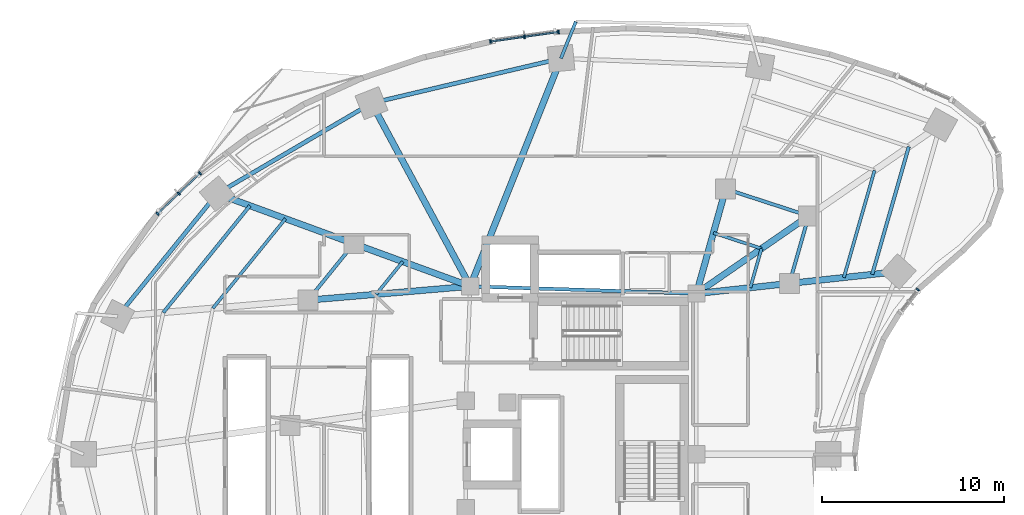
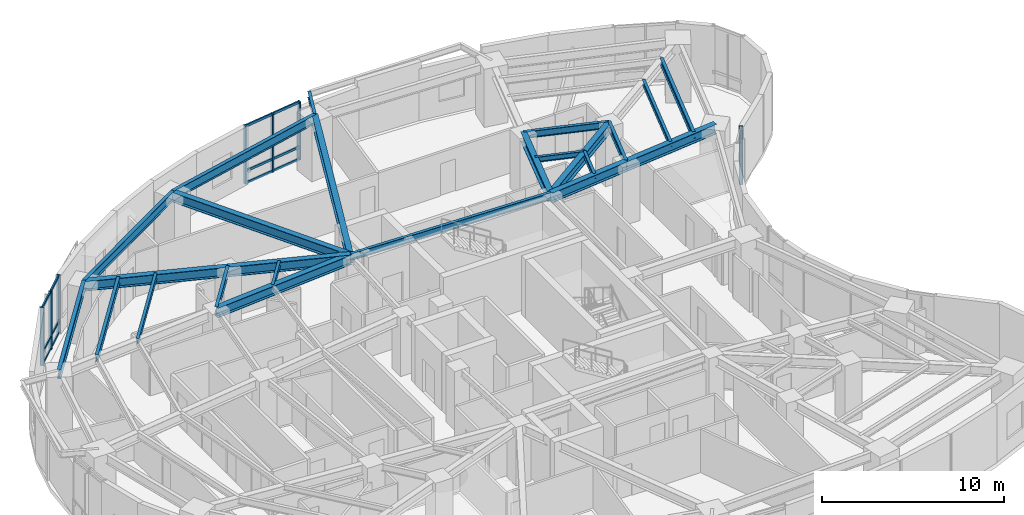
# One storey, part 5 of 16: 24 beams, 19 members, 3 elements without a shape of their own.
"""IFC4 building model written with IfcOpenShell, lengths in metres."""

from ifc_helpers import new_model, si_unit, direction, frame, origin, origin_2d, place, context, subcontext, project, spatial, rectangle, i_section, extrude, material, layer, layer_set, material_profile, profile_set, type_object, element, aggregate, save


model = new_model("IFC4")

# Units and contexts
model_context = context("Model", 3, precision=1e-05, world=origin(), true_north=direction((0.0, 1.0)))
body_context = subcontext(model_context, "Body", "Model", "MODEL_VIEW")
ifc_project = project(units=[si_unit("LENGTHUNIT", "METRE"), si_unit("AREAUNIT", "SQUARE_METRE"), si_unit("VOLUMEUNIT", "CUBIC_METRE"), si_unit("PLANEANGLEUNIT", "RADIAN"), si_unit("MASSUNIT", "GRAM", prefix="KILO")], contexts=[model_context])

# Site, building, storey
site_placement = place(None, origin())
site = spatial("IfcSite", under=ifc_project, at=site_placement, CompositionType="ELEMENT")
building_placement = place(site_placement, origin())
building = spatial("IfcBuilding", under=site, at=building_placement, Name="Korentha Bioscience Tower", CompositionType="ELEMENT")
storey_placement = place(building_placement, frame((0.0, 0.0, 55.199951171875)))
storey = spatial("IfcBuildingStorey", under=building, at=storey_placement, Name="L12", CompositionType="ELEMENT", Elevation=55.199951171875)

# Beams
ifc_material_1 = material(Name="Steel S355", Category="steel")
ifc_material_profile_1 = material_profile(ifc_material_1, i_section(OverallWidth=0.18994140625, OverallDepth=0.45703125, WebThickness=0.009033203125, FlangeThickness=0.014404296875, at=origin_2d()), Name="Steel S355")
ifc_profile_set_1 = profile_set([ifc_material_profile_1], Name="Steel S355 (MB-460)")
beam_type_1 = type_object("IfcBeamType", Name="Mid-Ring Tie Girder W460x74", PredefinedType="BEAM", material=ifc_profile_set_1)
beam_1_placement = place(storey_placement, frame((43.7265625, 40.121337890625, 3.671630859375), z_axis=(-0.950877001105, 0.309568940253, 0.0), x_axis=(-0.309568940253, -0.950877001105, 0.0)))
element("IfcBeam", 1, at=beam_1_placement, inside=storey, type_object=beam_type_1, Name="L12 Mid-Ring Tie Girder 01", PredefinedType="BEAM", context=body_context, shape_type="SweptSolid", body=[
    extrude(i_section(OverallWidth=0.18994140625, OverallDepth=0.45703125, WebThickness=0.009033203125, FlangeThickness=0.014404296875, at=origin_2d()), origin(), (0.0, 0.0, 1.0), 4.80126953125),
])
beam_2_placement = place(storey_placement, frame((18.692138671875, 38.5947265625, 3.671630859375), z_axis=(-0.629790009744, -0.776765436684, 0.0), x_axis=(0.776765436684, -0.629790009744, 0.0)))
element("IfcBeam", 2, at=beam_2_placement, inside=storey, type_object=beam_type_1, Name="L12 Mid-Ring Tie Girder 05", PredefinedType="BEAM", context=body_context, shape_type="SweptSolid", body=[
    extrude(i_section(OverallWidth=0.18994140625, OverallDepth=0.45703125, WebThickness=0.009033203125, FlangeThickness=0.014404296875, at=origin_2d()), origin(), (0.0, 0.0, 1.0), 3.998291015625),
])
beam_3_placement = place(storey_placement, frame((42.66162109375, 36.406982421875, 3.671630859375), z_axis=(0.27560557792, 0.961270807535, 0.0), x_axis=(-0.961270807535, 0.27560557792, 0.0)))
element("IfcBeam", 3, at=beam_3_placement, inside=storey, type_object=beam_type_1, Name="L12 Mid-Ring Tie Girder 16", PredefinedType="BEAM", context=body_context, shape_type="SweptSolid", body=[
    extrude(i_section(OverallWidth=0.18994140625, OverallDepth=0.45703125, WebThickness=0.009033203125, FlangeThickness=0.014404296875, at=origin_2d()), origin(), (0.0, 0.0, 1.0), 3.864013671875),
])
beam_4_placement = place(storey_placement, frame((37.550048828125, 35.85009765625, 3.671630859375), z_axis=(-0.999484526071, 0.032104238723, 0.0), x_axis=(-0.032104238723, -0.999484526071, 0.0)))
element("IfcBeam", 4, at=beam_4_placement, inside=storey, type_object=beam_type_1, Name="L12 Core Ring Tie Girder 01", PredefinedType="BEAM", context=body_context, shape_type="SweptSolid", body=[
    extrude(i_section(OverallWidth=0.18994140625, OverallDepth=0.45703125, WebThickness=0.009033203125, FlangeThickness=0.014404296875, at=origin_2d()), origin(), (0.0, 0.0, 1.0), 12.456298828125),
])

# Curtain wall, members
ifc_material_2 = material(Name="Thermally Broken Aluminium Frame", Category="aluminium")
ifc_layer = layer(ifc_material_2, 0.219970703125, Name="Thermally Broken Aluminium Frame")
ifc_layer_set = layer_set([ifc_layer], Name="Thermally Broken Aluminium Frame (CW-T2)")
curtain_wall_type = type_object("IfcCurtainWallType", Name="Solar-Screened Lab Unitised Curtain Wall CW-T2", PredefinedType="USERDEFINED", material=ifc_layer_set)
curtain_wall_1_placement = place(storey_placement, origin())
curtain_wall_1 = element("IfcCurtainWall", 5, at=curtain_wall_1_placement, inside=storey, type_object=curtain_wall_type, Name="L12 Curtain Wall 07", ObjectType="UNITISED", PredefinedType="USERDEFINED")
ifc_material_3 = material(Name="Anodised Aluminium 6063-T6", Category="aluminium")
ifc_material_profile_2 = material_profile(ifc_material_3, rectangle(XDim=0.090087890625, YDim=0.199951171875, at=origin_2d()), Name="Anodised Aluminium 6063-T6")
ifc_profile_set_2 = profile_set([ifc_material_profile_2], Name="Anodised Aluminium 6063-T6 (CW-MUL)")
member_type_1 = type_object("IfcMemberType", Name="Mullion RECT 90x200", PredefinedType="MULLION", material=ifc_profile_set_2)
member_1_placement = place(storey_placement, frame((29.95849609375, 50.247802734375, 0.0), z_axis=(0.0, 0.0, 1.0), x_axis=(-0.990167372968, -0.139887717511, 0.0)))
member_1 = element("IfcMember", 6, at=member_1_placement, type_object=member_type_1, Name="CW-L12-07 Mullion 1", PredefinedType="MULLION", context=body_context, shape_type="SweptSolid", body=[
    extrude(rectangle(XDim=0.090087890625, YDim=0.199951171875, at=origin_2d()), origin(), (0.0, 0.0, 1.0), 3.900146484375),
])
member_2_placement = place(storey_placement, frame((28.086669921875, 49.9833984375, 0.0), z_axis=(0.0, 0.0, 1.0), x_axis=(-0.990167372968, -0.139887717511, 0.0)))
member_2 = element("IfcMember", 7, at=member_2_placement, type_object=member_type_1, Name="CW-L12-07 Mullion 2", PredefinedType="MULLION", context=body_context, shape_type="SweptSolid", body=[
    extrude(rectangle(XDim=0.090087890625, YDim=0.199951171875, at=origin_2d()), origin(), (0.0, 0.0, 1.0), 3.900146484375),
])
member_3_placement = place(storey_placement, frame((26.214599609375, 49.718994140625, 0.0), z_axis=(0.0, 0.0, 1.0), x_axis=(-0.990167372968, -0.139887717511, 0.0)))
member_3 = element("IfcMember", 8, at=member_3_placement, type_object=member_type_1, Name="CW-L12-07 Mullion 3", PredefinedType="MULLION", context=body_context, shape_type="SweptSolid", body=[
    extrude(rectangle(XDim=0.090087890625, YDim=0.199951171875, at=origin_2d()), origin(), (0.0, 0.0, 1.0), 3.900146484375),
])

curtain_wall_2_placement = place(storey_placement, origin())
curtain_wall_2 = element("IfcCurtainWall", 9, at=curtain_wall_2_placement, inside=storey, type_object=curtain_wall_type, Name="L12 Curtain Wall 13", ObjectType="UNITISED", PredefinedType="USERDEFINED")
member_4_placement = place(storey_placement, frame((10.228759765625, 42.467041015625, 0.0), z_axis=(0.0, 0.0, 1.0), x_axis=(-0.723641761581, -0.690175775361, 0.0)))
member_4 = element("IfcMember", 10, at=member_4_placement, type_object=member_type_1, Name="CW-L12-13 Mullion 1", PredefinedType="MULLION", context=body_context, shape_type="SweptSolid", body=[
    extrude(rectangle(XDim=0.090087890625, YDim=0.199951171875, at=origin_2d()), origin(), (0.0, 0.0, 1.0), 3.900146484375),
])
member_5_placement = place(storey_placement, frame((9.05908203125, 41.3515625, 0.0), z_axis=(0.0, 0.0, 1.0), x_axis=(-0.723641761581, -0.690175775361, 0.0)))
member_5 = element("IfcMember", 11, at=member_5_placement, type_object=member_type_1, Name="CW-L12-13 Mullion 2", PredefinedType="MULLION", context=body_context, shape_type="SweptSolid", body=[
    extrude(rectangle(XDim=0.090087890625, YDim=0.199951171875, at=origin_2d()), origin(), (0.0, 0.0, 1.0), 3.900146484375),
])
member_6_placement = place(storey_placement, frame((7.889404296875, 40.236083984375, 0.0), z_axis=(0.0, 0.0, 1.0), x_axis=(-0.723641761581, -0.690175775361, 0.0)))
member_6 = element("IfcMember", 12, at=member_6_placement, type_object=member_type_1, Name="CW-L12-13 Mullion 3", PredefinedType="MULLION", context=body_context, shape_type="SweptSolid", body=[
    extrude(rectangle(XDim=0.090087890625, YDim=0.199951171875, at=origin_2d()), origin(), (0.0, 0.0, 1.0), 3.900146484375),
])

# Curtain wall, member
curtain_wall_3_placement = place(storey_placement, origin())
curtain_wall_3 = element("IfcCurtainWall", 13, at=curtain_wall_3_placement, inside=storey, type_object=curtain_wall_type, Name="L12 Curtain Wall 55", ObjectType="UNITISED", PredefinedType="USERDEFINED")
member_7_placement = place(storey_placement, frame((49.73291015625, 36.072021484375, 0.0), z_axis=(0.0, 0.0, 1.0), x_axis=(0.622520324648, 0.782603632371, 0.0)))
member_7 = element("IfcMember", 14, at=member_7_placement, type_object=member_type_1, Name="CW-L12-55 Mullion 2", PredefinedType="MULLION", context=body_context, shape_type="SweptSolid", body=[
    extrude(rectangle(XDim=0.090087890625, YDim=0.199951171875, at=origin_2d()), origin(), (0.0, 0.0, 1.0), 3.900146484375),
])
aggregate(curtain_wall_3, [member_7])

# Beams
ifc_material_profile_3 = material_profile(ifc_material_1, i_section(OverallWidth=0.22802734375, OverallDepth=0.60791015625, WebThickness=0.01123046875, FlangeThickness=0.017333984375, at=origin_2d()), Name="Steel S355")
ifc_profile_set_3 = profile_set([ifc_material_profile_3], Name="Steel S355 (SB-610)")
beam_type_2 = type_object("IfcBeamType", Name="Perimeter Ring Spandrel Girder W610x113", PredefinedType="SPANDREL", material=ifc_profile_set_3)
beam_5_placement = place(storey_placement, frame((30.09423828125, 48.79248046875, 3.595947265625), z_axis=(-0.973207885376, -0.229926970672, 0.0), x_axis=(0.229926970672, -0.973207885376, 0.0)))
element("IfcBeam", 15, at=beam_5_placement, inside=storey, type_object=beam_type_2, Name="L12 Perimeter Spandrel Girder 03", PredefinedType="SPANDREL", context=body_context, shape_type="SweptSolid", body=[
    extrude(i_section(OverallWidth=0.22802734375, OverallDepth=0.60791015625, WebThickness=0.01123046875, FlangeThickness=0.017333984375, at=origin_2d()), origin(), (0.0, 0.0, 1.0), 10.71484375),
])
beam_6_placement = place(storey_placement, frame((19.66650390625, 46.328857421875, 3.595947265625), z_axis=(-0.862656574181, -0.505790109653, 0.0), x_axis=(0.505790109653, -0.862656574181, 0.0)))
element("IfcBeam", 16, at=beam_6_placement, inside=storey, type_object=beam_type_2, Name="L12 Perimeter Spandrel Girder 04", PredefinedType="SPANDREL", context=body_context, shape_type="SweptSolid", body=[
    extrude(i_section(OverallWidth=0.22802734375, OverallDepth=0.60791015625, WebThickness=0.01123046875, FlangeThickness=0.017333984375, at=origin_2d()), origin(), (0.0, 0.0, 1.0), 9.849365234375),
])
beam_7_placement = place(storey_placement, frame((11.169921875, 41.34716796875, 3.595947265625), z_axis=(-0.629799210231, -0.776757976974, 0.0), x_axis=(0.776757976974, -0.629799210231, 0.0)))
element("IfcBeam", 17, at=beam_7_placement, inside=storey, type_object=beam_type_2, Name="L12 Perimeter Spandrel Girder 05", PredefinedType="SPANDREL", context=body_context, shape_type="SweptSolid", body=[
    extrude(i_section(OverallWidth=0.22802734375, OverallDepth=0.60791015625, WebThickness=0.01123046875, FlangeThickness=0.017333984375, at=origin_2d()), origin(), (0.0, 0.0, 1.0), 8.69189453125),
])
ifc_material_profile_4 = material_profile(ifc_material_1, i_section(OverallWidth=0.18994140625, OverallDepth=0.45703125, WebThickness=0.009033203125, FlangeThickness=0.014404296875, at=origin_2d()), Name="Steel S355")
ifc_profile_set_4 = profile_set([ifc_material_profile_4], Name="Steel S355 (RB-460)")
beam_type_3 = type_object("IfcBeamType", Name="Radial Laboratory Beam W460x74", PredefinedType="BEAM", material=ifc_profile_set_4)
beam_8_placement = place(storey_placement, frame((12.97509765625, 40.6865234375, 3.671630859375), z_axis=(-0.629797748553, -0.776759162107, 0.0), x_axis=(0.776759162107, -0.629797748553, 0.0)))
element("IfcBeam", 18, at=beam_8_placement, inside=storey, type_object=beam_type_3, Name="L12 Secondary Floor Beam JSTO-05", PredefinedType="BEAM", context=body_context, shape_type="SweptSolid", body=[
    extrude(i_section(OverallWidth=0.18994140625, OverallDepth=0.45703125, WebThickness=0.009033203125, FlangeThickness=0.014404296875, at=origin_2d()), origin(), (0.0, 0.0, 1.0), 7.5654296875),
])
beam_9_placement = place(storey_placement, frame((47.2216796875, 36.90380859375, 3.671630859375), z_axis=(0.275682421415, 0.961248772443, 0.0), x_axis=(-0.961248772443, 0.275682421415, 0.0)))
element("IfcBeam", 19, at=beam_9_placement, inside=storey, type_object=beam_type_3, Name="L12 Secondary Floor Beam JSTO-16", PredefinedType="BEAM", context=body_context, shape_type="SweptSolid", body=[
    extrude(i_section(OverallWidth=0.18994140625, OverallDepth=0.45703125, WebThickness=0.009033203125, FlangeThickness=0.014404296875, at=origin_2d()), origin(), (0.0, 0.0, 1.0), 7.3115234375),
])
ifc_material_profile_5 = material_profile(ifc_material_1, i_section(OverallWidth=0.35009765625, OverallDepth=0.64990234375, WebThickness=0.01611328125, FlangeThickness=0.02490234375, at=origin_2d()), Name="Steel S355")
ifc_profile_set_5 = profile_set([ifc_material_profile_5], Name="Steel S355 (RB-650)")
beam_type_4 = type_object("IfcBeamType", Name="Radial Laboratory Girder CVS 650x208", PredefinedType="BEAM", material=ifc_profile_set_5)
beam_10_placement = place(storey_placement, frame((37.550048828125, 35.85009765625, 3.574951171875), z_axis=(0.822491697625, 0.568777115694, 0.0), x_axis=(-0.568777115694, 0.822491697625, 0.0)))
element("IfcBeam", 20, at=beam_10_placement, inside=storey, type_object=beam_type_4, Name="L12 Inner Radial Girder 01", PredefinedType="BEAM", context=body_context, shape_type="SweptSolid", body=[
    extrude(i_section(OverallWidth=0.35009765625, OverallDepth=0.64990234375, WebThickness=0.01611328125, FlangeThickness=0.02490234375, at=origin_2d()), origin(), (0.0, 0.0, 1.0), 7.509521484375),
])
beam_11_placement = place(storey_placement, frame((37.550048828125, 35.85009765625, 3.574951171875), z_axis=(0.269469369205, 0.963008961049, 0.0), x_axis=(-0.963008961049, 0.269469369205, 0.0)))
element("IfcBeam", 21, at=beam_11_placement, inside=storey, type_object=beam_type_4, Name="L12 Inner Radial Girder 02", PredefinedType="BEAM", context=body_context, shape_type="SweptSolid", body=[
    extrude(i_section(OverallWidth=0.35009765625, OverallDepth=0.64990234375, WebThickness=0.01611328125, FlangeThickness=0.02490234375, at=origin_2d()), origin(), (0.0, 0.0, 1.0), 5.978759765625),
])
beam_12_placement = place(storey_placement, frame((25.10009765625, 36.25, 3.574951171875), z_axis=(0.369931007413, 0.929059228335, 0.0), x_axis=(-0.929059228335, 0.369931007413, 0.0)))
element("IfcBeam", 22, at=beam_12_placement, inside=storey, type_object=beam_type_4, Name="L12 Radial Girder 03", PredefinedType="BEAM", context=body_context, shape_type="SweptSolid", body=[
    extrude(i_section(OverallWidth=0.35009765625, OverallDepth=0.64990234375, WebThickness=0.01611328125, FlangeThickness=0.02490234375, at=origin_2d()), origin(), (0.0, 0.0, 1.0), 13.500244140625),
])
beam_13_placement = place(storey_placement, frame((25.10009765625, 36.25, 3.574951171875), z_axis=(-0.47454097106, 0.880233416081, 0.0), x_axis=(-0.880233416081, -0.47454097106, 0.0)))
element("IfcBeam", 23, at=beam_13_placement, inside=storey, type_object=beam_type_4, Name="L12 Radial Girder 04", PredefinedType="BEAM", context=body_context, shape_type="SweptSolid", body=[
    extrude(i_section(OverallWidth=0.35009765625, OverallDepth=0.64990234375, WebThickness=0.01611328125, FlangeThickness=0.02490234375, at=origin_2d()), origin(), (0.0, 0.0, 1.0), 11.4501953125),
])
beam_14_placement = place(storey_placement, frame((25.10009765625, 36.25, 3.574951171875), z_axis=(-0.939106237741, 0.343626940498, 0.0), x_axis=(-0.343626940498, -0.939106237741, 0.0)))
element("IfcBeam", 24, at=beam_14_placement, inside=storey, type_object=beam_type_4, Name="L12 Inner Radial Girder 05", PredefinedType="BEAM", context=body_context, shape_type="SweptSolid", body=[
    extrude(i_section(OverallWidth=0.35009765625, OverallDepth=0.64990234375, WebThickness=0.01611328125, FlangeThickness=0.02490234375, at=origin_2d()), origin(), (0.0, 0.0, 1.0), 6.823486328125),
])
beam_15_placement = place(storey_placement, frame((18.692138671875, 38.5947265625, 3.574951171875), z_axis=(-0.939106299948, 0.343626770491, 0.0), x_axis=(-0.343626770491, -0.939106299948, 0.0)))
element("IfcBeam", 25, at=beam_15_placement, inside=storey, type_object=beam_type_4, Name="L12 Outer Radial Girder 05", PredefinedType="BEAM", context=body_context, shape_type="SweptSolid", body=[
    extrude(i_section(OverallWidth=0.35009765625, OverallDepth=0.64990234375, WebThickness=0.01611328125, FlangeThickness=0.02490234375, at=origin_2d()), origin(), (0.0, 0.0, 1.0), 8.010009765625),
])
beam_16_placement = place(storey_placement, frame((25.10009765625, 36.25, 3.574951171875), z_axis=(-0.996385503026, -0.08494662654, 0.0), x_axis=(0.08494662654, -0.996385503026, 0.0)))
element("IfcBeam", 26, at=beam_16_placement, inside=storey, type_object=beam_type_4, Name="L12 Inner Radial Girder 06", PredefinedType="BEAM", context=body_context, shape_type="SweptSolid", body=[
    extrude(i_section(OverallWidth=0.35009765625, OverallDepth=0.64990234375, WebThickness=0.01611328125, FlangeThickness=0.02490234375, at=origin_2d()), origin(), (0.0, 0.0, 1.0), 8.95849609375),
])
beam_17_placement = place(storey_placement, frame((37.550048828125, 35.85009765625, 3.574951171875), z_axis=(0.994117709144, 0.10830503389, 0.0), x_axis=(-0.10830503389, 0.994117709144, 0.0)))
element("IfcBeam", 27, at=beam_17_placement, inside=storey, type_object=beam_type_4, Name="L12 Inner Radial Girder 16", PredefinedType="BEAM", context=body_context, shape_type="SweptSolid", body=[
    extrude(i_section(OverallWidth=0.35009765625, OverallDepth=0.64990234375, WebThickness=0.01611328125, FlangeThickness=0.02490234375, at=origin_2d()), origin(), (0.0, 0.0, 1.0), 5.141845703125),
])
beam_18_placement = place(storey_placement, frame((42.66162109375, 36.406982421875, 3.574951171875), z_axis=(0.994115805925, 0.108322501862, 0.0), x_axis=(-0.108322501862, 0.994115805925, 0.0)))
element("IfcBeam", 28, at=beam_18_placement, inside=storey, type_object=beam_type_4, Name="L12 Outer Radial Girder 16", PredefinedType="BEAM", context=body_context, shape_type="SweptSolid", body=[
    extrude(i_section(OverallWidth=0.35009765625, OverallDepth=0.64990234375, WebThickness=0.01611328125, FlangeThickness=0.02490234375, at=origin_2d()), origin(), (0.0, 0.0, 1.0), 6.03564453125),
])
ifc_material_profile_6 = material_profile(ifc_material_1, i_section(OverallWidth=0.1708984375, OverallDepth=0.35498046875, WebThickness=0.007080078125, FlangeThickness=0.01171875, at=origin_2d()), Name="Steel S355")
ifc_profile_set_6 = profile_set([ifc_material_profile_6], Name="Steel S355 (JB-360)")
beam_type_5 = type_object("IfcBeamType", Name="Secondary Laboratory Joist W360x51", PredefinedType="JOIST", material=ifc_profile_set_6)
beam_19_placement = place(storey_placement, frame((41.13232421875, 38.327392578125, 3.72265625), z_axis=(-0.950869630746, 0.309591578254, 0.0), x_axis=(-0.309591578254, -0.950869630746, 0.0)))
element("IfcBeam", 29, at=beam_19_placement, inside=storey, type_object=beam_type_5, Name="L12 Inner Bay Joist 01", PredefinedType="JOIST", context=body_context, shape_type="SweptSolid", body=[
    extrude(i_section(OverallWidth=0.1708984375, OverallDepth=0.35498046875, WebThickness=0.007080078125, FlangeThickness=0.01171875, at=origin_2d()), origin(), (0.0, 0.0, 1.0), 2.784423828125),
])
beam_20_placement = place(storey_placement, frame((14.930908203125, 39.970947265625, 3.72265625), z_axis=(-0.629786899984, -0.776767958021, 0.0), x_axis=(0.776767958021, -0.629786899984, 0.0)))
element("IfcBeam", 30, at=beam_20_placement, inside=storey, type_object=beam_type_5, Name="L12 Secondary Floor Beam JST-05", PredefinedType="JOIST", context=body_context, shape_type="SweptSolid", body=[
    extrude(i_section(OverallWidth=0.1708984375, OverallDepth=0.35498046875, WebThickness=0.007080078125, FlangeThickness=0.01171875, at=origin_2d()), origin(), (0.0, 0.0, 1.0), 6.34521484375),
])
beam_21_placement = place(storey_placement, frame((21.38330078125, 37.60986328125, 3.72265625), z_axis=(-0.629791657613, -0.776764100613, 0.0), x_axis=(0.776764100613, -0.629791657613, 0.0)))
element("IfcBeam", 31, at=beam_21_placement, inside=storey, type_object=beam_type_5, Name="L12 Inner Bay Joist 05", PredefinedType="JOIST", context=body_context, shape_type="SweptSolid", body=[
    extrude(i_section(OverallWidth=0.1708984375, OverallDepth=0.35498046875, WebThickness=0.007080078125, FlangeThickness=0.01171875, at=origin_2d()), origin(), (0.0, 0.0, 1.0), 2.31884765625),
])
beam_22_placement = place(storey_placement, frame((45.66162109375, 36.73388671875, 3.72265625), z_axis=(0.275667500387, 0.96125305161, 0.0), x_axis=(-0.96125305161, 0.275667500387, 0.0)))
element("IfcBeam", 32, at=beam_22_placement, inside=storey, type_object=beam_type_5, Name="L12 Secondary Floor Beam JST-16", PredefinedType="JOIST", context=body_context, shape_type="SweptSolid", body=[
    extrude(i_section(OverallWidth=0.1708984375, OverallDepth=0.35498046875, WebThickness=0.007080078125, FlangeThickness=0.01171875, at=origin_2d()), origin(), (0.0, 0.0, 1.0), 6.132080078125),
])
beam_23_placement = place(storey_placement, frame((40.5146484375, 36.173095703125, 3.72265625), z_axis=(0.275613067773, 0.961268660091, 0.0), x_axis=(-0.961268660091, 0.275613067773, 0.0)))
element("IfcBeam", 33, at=beam_23_placement, inside=storey, type_object=beam_type_5, Name="L12 Inner Bay Joist 16", PredefinedType="JOIST", context=body_context, shape_type="SweptSolid", body=[
    extrude(i_section(OverallWidth=0.1708984375, OverallDepth=0.35498046875, WebThickness=0.007080078125, FlangeThickness=0.01171875, at=origin_2d()), origin(), (0.0, 0.0, 1.0), 2.2412109375),
])
ifc_material_profile_7 = material_profile(ifc_material_1, i_section(OverallWidth=0.177978515625, OverallDepth=0.406982421875, WebThickness=0.0078125, FlangeThickness=0.0126953125, at=origin_2d()), Name="Steel S355")
ifc_profile_set_7 = profile_set([ifc_material_profile_7], Name="Steel S355 (CB-410)")
beam_type_6 = type_object("IfcBeamType", Name="Sun-Ledge Cantilever Beam W410x60", PredefinedType="BEAM", material=ifc_profile_set_7)
beam_24_placement = place(storey_placement, frame((30.09423828125, 48.79248046875, 3.698486328125), z_axis=(0.372971735808, 0.927842704497, 0.0), x_axis=(-0.927842704497, 0.372971735808, 0.0)))
element("IfcBeam", 34, at=beam_24_placement, inside=storey, type_object=beam_type_6, Name="L12 Balcony Cantilever Bracket B-L13-01", PredefinedType="BEAM", context=body_context, shape_type="SweptSolid", body=[
    extrude(i_section(OverallWidth=0.177978515625, OverallDepth=0.406982421875, WebThickness=0.0078125, FlangeThickness=0.0126953125, at=origin_2d()), origin(), (0.0, 0.0, 1.0), 2.182373046875),
])

# Member
ifc_material_profile_8 = material_profile(ifc_material_3, rectangle(XDim=0.090087890625, YDim=0.159912109375, at=origin_2d()), Name="Anodised Aluminium 6063-T6")
ifc_profile_set_8 = profile_set([ifc_material_profile_8], Name="Anodised Aluminium 6063-T6 (CW-TRN)")
member_type_2 = type_object("IfcMemberType", Name="Transom RECT 90x160", PredefinedType="USERDEFINED", material=ifc_profile_set_8)
member_8_placement = place(storey_placement, frame((29.913818359375, 50.24169921875, 0.045166015625), z_axis=(-0.990159924061, -0.139940432982, 0.0), x_axis=(0.139940432982, -0.990159924061, 0.0)))
member_8 = element("IfcMember", 35, at=member_8_placement, type_object=member_type_2, Name="CW-L12-07 Bay 1 Transom 1", ObjectType="TRANSOM", PredefinedType="USERDEFINED", context=body_context, shape_type="SweptSolid", body=[
    extrude(rectangle(XDim=0.090087890625, YDim=0.159912109375, at=origin_2d()), origin(), (0.0, 0.0, 1.0), 1.800537109375),
])

member_9_placement = place(storey_placement, frame((29.913818359375, 50.24169921875, 0.85009765625), z_axis=(-0.990159924061, -0.139940432982, 0.0), x_axis=(0.139940432982, -0.990159924061, 0.0)))
member_9 = element("IfcMember", 36, at=member_9_placement, type_object=member_type_2, Name="CW-L12-07 Bay 1 Transom 2", ObjectType="TRANSOM", PredefinedType="USERDEFINED", context=body_context, shape_type="SweptSolid", body=[
    extrude(rectangle(XDim=0.090087890625, YDim=0.159912109375, at=origin_2d()), origin(), (0.0, 0.0, 1.0), 1.800537109375),
])

member_10_placement = place(storey_placement, frame((29.913818359375, 50.24169921875, 3.85498046875), z_axis=(-0.990159924061, -0.139940432982, 0.0), x_axis=(0.139940432982, -0.990159924061, 0.0)))
member_10 = element("IfcMember", 37, at=member_10_placement, type_object=member_type_2, Name="CW-L12-07 Bay 1 Transom 3", ObjectType="TRANSOM", PredefinedType="USERDEFINED", context=body_context, shape_type="SweptSolid", body=[
    extrude(rectangle(XDim=0.090087890625, YDim=0.159912109375, at=origin_2d()), origin(), (0.0, 0.0, 1.0), 1.800537109375),
])

member_11_placement = place(storey_placement, frame((28.0419921875, 49.977294921875, 0.045166015625), z_axis=(-0.990159924061, -0.139940432982, 0.0), x_axis=(0.139940432982, -0.990159924061, 0.0)))
member_11 = element("IfcMember", 38, at=member_11_placement, type_object=member_type_2, Name="CW-L12-07 Bay 2 Transom 1", ObjectType="TRANSOM", PredefinedType="USERDEFINED", context=body_context, shape_type="SweptSolid", body=[
    extrude(rectangle(XDim=0.090087890625, YDim=0.159912109375, at=origin_2d()), origin(), (0.0, 0.0, 1.0), 1.800537109375),
])

member_12_placement = place(storey_placement, frame((28.0419921875, 49.977294921875, 0.85009765625), z_axis=(-0.990159924061, -0.139940432982, 0.0), x_axis=(0.139940432982, -0.990159924061, 0.0)))
member_12 = element("IfcMember", 39, at=member_12_placement, type_object=member_type_2, Name="CW-L12-07 Bay 2 Transom 2", ObjectType="TRANSOM", PredefinedType="USERDEFINED", context=body_context, shape_type="SweptSolid", body=[
    extrude(rectangle(XDim=0.090087890625, YDim=0.159912109375, at=origin_2d()), origin(), (0.0, 0.0, 1.0), 1.800537109375),
])

member_13_placement = place(storey_placement, frame((28.0419921875, 49.977294921875, 3.85498046875), z_axis=(-0.990159924061, -0.139940432982, 0.0), x_axis=(0.139940432982, -0.990159924061, 0.0)))
member_13 = element("IfcMember", 40, at=member_13_placement, type_object=member_type_2, Name="CW-L12-07 Bay 2 Transom 3", ObjectType="TRANSOM", PredefinedType="USERDEFINED", context=body_context, shape_type="SweptSolid", body=[
    extrude(rectangle(XDim=0.090087890625, YDim=0.159912109375, at=origin_2d()), origin(), (0.0, 0.0, 1.0), 1.800537109375),
])

aggregate(curtain_wall_1, [member_1, member_2, member_3, member_8, member_9, member_10, member_11, member_12, member_13])

member_14_placement = place(storey_placement, frame((10.1962890625, 42.43603515625, 0.045166015625), z_axis=(-0.72370039216, -0.690114296612, 0.0), x_axis=(0.690114296612, -0.72370039216, 0.0)))
member_14 = element("IfcMember", 41, at=member_14_placement, type_object=member_type_2, Name="CW-L12-13 Bay 1 Transom 1", ObjectType="TRANSOM", PredefinedType="USERDEFINED", context=body_context, shape_type="SweptSolid", body=[
    extrude(rectangle(XDim=0.090087890625, YDim=0.159912109375, at=origin_2d()), origin(), (0.0, 0.0, 1.0), 1.526611328125),
])

member_15_placement = place(storey_placement, frame((10.1962890625, 42.43603515625, 0.85009765625), z_axis=(-0.72370039216, -0.690114296612, 0.0), x_axis=(0.690114296612, -0.72370039216, 0.0)))
member_15 = element("IfcMember", 42, at=member_15_placement, type_object=member_type_2, Name="CW-L12-13 Bay 1 Transom 2", ObjectType="TRANSOM", PredefinedType="USERDEFINED", context=body_context, shape_type="SweptSolid", body=[
    extrude(rectangle(XDim=0.090087890625, YDim=0.159912109375, at=origin_2d()), origin(), (0.0, 0.0, 1.0), 1.526611328125),
])

member_16_placement = place(storey_placement, frame((10.1962890625, 42.43603515625, 3.85498046875), z_axis=(-0.72370039216, -0.690114296612, 0.0), x_axis=(0.690114296612, -0.72370039216, 0.0)))
member_16 = element("IfcMember", 43, at=member_16_placement, type_object=member_type_2, Name="CW-L12-13 Bay 1 Transom 3", ObjectType="TRANSOM", PredefinedType="USERDEFINED", context=body_context, shape_type="SweptSolid", body=[
    extrude(rectangle(XDim=0.090087890625, YDim=0.159912109375, at=origin_2d()), origin(), (0.0, 0.0, 1.0), 1.526611328125),
])

member_17_placement = place(storey_placement, frame((9.026611328125, 41.320556640625, 0.045166015625), z_axis=(-0.72370039216, -0.690114296612, 0.0), x_axis=(0.690114296612, -0.72370039216, 0.0)))
member_17 = element("IfcMember", 44, at=member_17_placement, type_object=member_type_2, Name="CW-L12-13 Bay 2 Transom 1", ObjectType="TRANSOM", PredefinedType="USERDEFINED", context=body_context, shape_type="SweptSolid", body=[
    extrude(rectangle(XDim=0.090087890625, YDim=0.159912109375, at=origin_2d()), origin(), (0.0, 0.0, 1.0), 1.526611328125),
])

member_18_placement = place(storey_placement, frame((9.026611328125, 41.320556640625, 0.85009765625), z_axis=(-0.72370039216, -0.690114296612, 0.0), x_axis=(0.690114296612, -0.72370039216, 0.0)))
member_18 = element("IfcMember", 45, at=member_18_placement, type_object=member_type_2, Name="CW-L12-13 Bay 2 Transom 2", ObjectType="TRANSOM", PredefinedType="USERDEFINED", context=body_context, shape_type="SweptSolid", body=[
    extrude(rectangle(XDim=0.090087890625, YDim=0.159912109375, at=origin_2d()), origin(), (0.0, 0.0, 1.0), 1.526611328125),
])

member_19_placement = place(storey_placement, frame((9.026611328125, 41.320556640625, 3.85498046875), z_axis=(-0.72370039216, -0.690114296612, 0.0), x_axis=(0.690114296612, -0.72370039216, 0.0)))
member_19 = element("IfcMember", 46, at=member_19_placement, type_object=member_type_2, Name="CW-L12-13 Bay 2 Transom 3", ObjectType="TRANSOM", PredefinedType="USERDEFINED", context=body_context, shape_type="SweptSolid", body=[
    extrude(rectangle(XDim=0.090087890625, YDim=0.159912109375, at=origin_2d()), origin(), (0.0, 0.0, 1.0), 1.526611328125),
])

aggregate(curtain_wall_2, [member_4, member_5, member_6, member_14, member_15, member_16, member_17, member_18, member_19])

save(model, "model.ifc")
